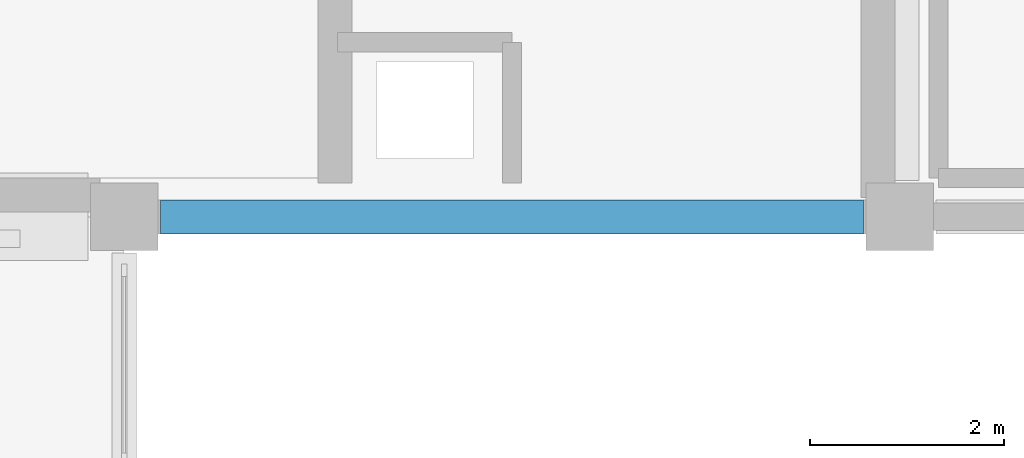
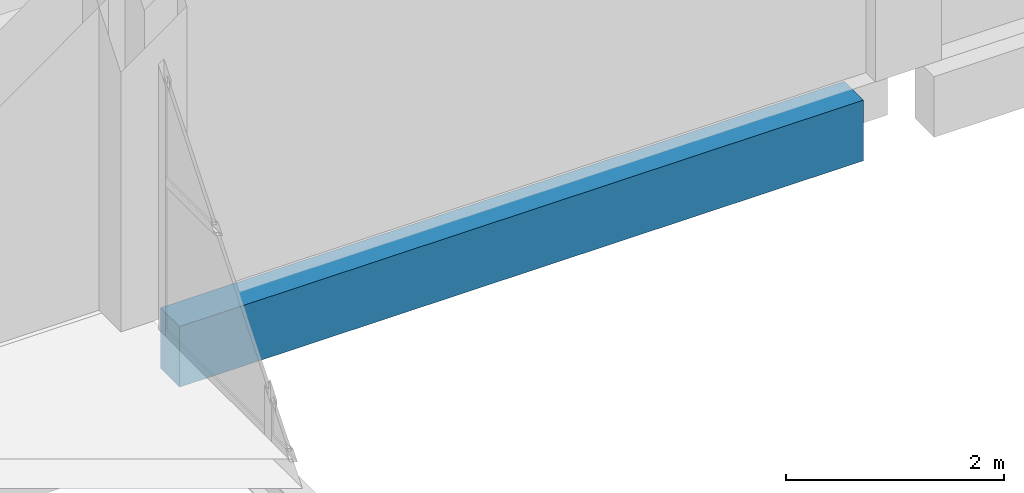
# One storey, part 12 of 45: 1 beam.
"""IFC4 building model written with IfcOpenShell, lengths in metres."""

from ifc_helpers import new_model, si_unit, direction, frame, origin, origin_2d, place, context, subcontext, project, spatial, rectangle, extrude, material, material_profile, profile_set, type_object, element, save


model = new_model("IFC4")

# Units and contexts
model_context = context("Model", 3, precision=1e-05, world=origin(), true_north=direction((0.0, 1.0)))
body_context = subcontext(model_context, "Body", "Model", "MODEL_VIEW")
ifc_project = project(units=[si_unit("LENGTHUNIT", "METRE"), si_unit("AREAUNIT", "SQUARE_METRE"), si_unit("VOLUMEUNIT", "CUBIC_METRE"), si_unit("PLANEANGLEUNIT", "RADIAN"), si_unit("MASSUNIT", "GRAM", prefix="KILO")], contexts=[model_context])

# Site, building, storey
site_placement = place(None, origin())
site = spatial("IfcSite", under=ifc_project, at=site_placement, CompositionType="ELEMENT")
building_placement = place(site_placement, origin())
building = spatial("IfcBuilding", under=site, at=building_placement, Name="Qorikala Patio Media Centre", CompositionType="ELEMENT")
storey_placement = place(building_placement, frame((0.0, 0.0, 9.89990234375)))
storey = spatial("IfcBuildingStorey", under=building, at=storey_placement, Name="L02", CompositionType="ELEMENT", Elevation=9.89990234375)

# Beam
ifc_material = material(Name="Concrete C35/45", Category="concrete")
ifc_material_profile = material_profile(ifc_material, rectangle(XDim=0.35009765625, YDim=0.679931640625, at=origin_2d()), Name="RC 350x680")
ifc_profile_set = profile_set([ifc_material_profile], Name="Concrete C35/45")
beam_type = type_object("IfcBeamType", Name="SP-350X680", PredefinedType="SPANDREL", material=ifc_profile_set)
beam_placement = place(storey_placement, frame((59.375, 64.0, -0.639892578125), z_axis=(1.0, 0.0, 0.0), x_axis=(0.0, 1.0, 0.0)))
element("IfcBeam", 1, at=beam_placement, inside=storey, type_object=beam_type, Name="L02 Grid 64 Beam 0859", PredefinedType="SPANDREL", context=body_context, shape_type="SweptSolid", body=[
    extrude(rectangle(XDim=0.35009765625, YDim=0.679931640625, at=origin_2d()), origin(), (0.0, 0.0, 1.0), 7.25),
])

save(model, "model.ifc")
